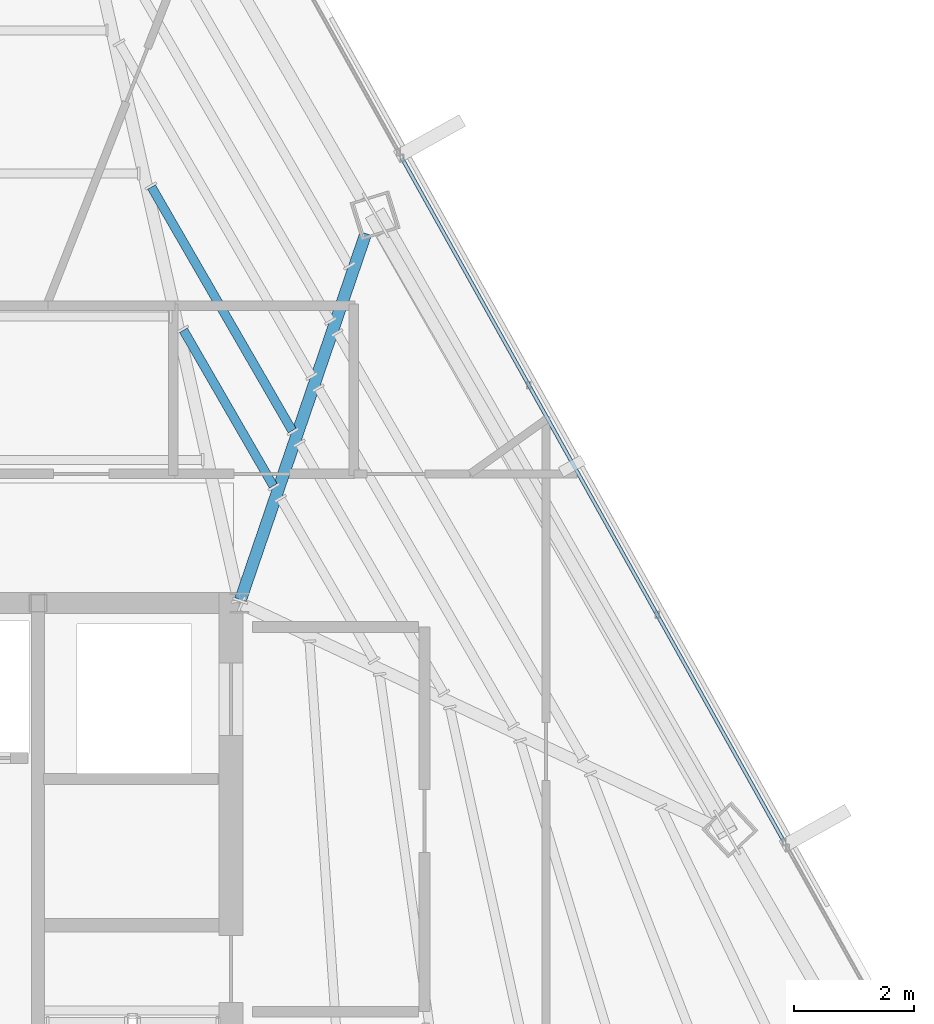
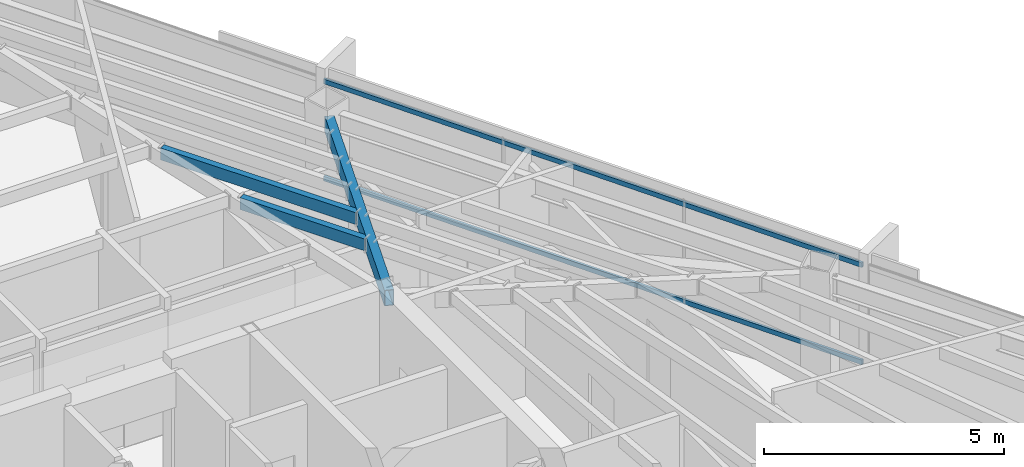
# One storey, part 29 of 47: 3 beams, 2 members, 1 element without a shape of its own.
"""IFC4 building model written with IfcOpenShell, lengths in metres."""

import ifcopenshell
import ifcopenshell.guid

model = None  # the IFC model being written
_history = None  # IfcOwnerHistory: only IFC2X3 demands one
_inside = {}  # id of a spatial element -> (the spatial element, [elements in it])
_under = {}  # id of a project, library or spatial element -> (it, [spatial elements below it])
_declared = {}  # id of a project -> (the project, [libraries it declares])
_typed = {}  # id of a type object -> (the type object, [elements of that type])
_made_of = {}  # id of a material, layer set ... -> (it, [elements and type objects made of it])


def new_model(schema):
    """Start an empty IFC model of exactly this schema.

    Asked for "IFC4X3", IfcOpenShell would pick the latest addendum, in which some entities
    have other attributes; the version numbers below select the first issue.
    IFC2X3 requires an IfcOwnerHistory on every rooted entity: one is made here for all.
    """
    global model, _history
    if schema == "IFC4X3":
        model = ifcopenshell.file(schema_version=(4, 3, 0, 0))
    else:
        model = ifcopenshell.file(schema=schema)
    _inside.clear()
    _under.clear()
    _declared.clear()
    _typed.clear()
    _made_of.clear()
    _history = None
    if model.schema == "IFC2X3":
        org = make("IfcOrganization", Name="unknown")
        user = make(
            "IfcPersonAndOrganization",
            ThePerson=make("IfcPerson", FamilyName="unknown"),
            TheOrganization=org,
        )
        app = make(
            "IfcApplication",
            ApplicationDeveloper=org,
            Version="unknown",
            ApplicationFullName="unknown",
            ApplicationIdentifier="unknown",
        )
        _history = make(
            "IfcOwnerHistory",
            OwningUser=user,
            OwningApplication=app,
            ChangeAction="ADDED",
            CreationDate=0,
        )
    return model


def make(cls, **values):
    """One entity of the class cls with the attributes given. An attribute that is None is left unset."""
    return model.create_entity(
        cls, **{name: value for name, value in values.items() if value is not None}
    )


def rooted(cls, **values):
    """An entity with a GlobalId (a new one), such as an element, a storey or a relation."""
    return make(cls, GlobalId=ifcopenshell.guid.new(), OwnerHistory=_history, **values)


def si_unit(unit_type, name, prefix=None):
    """IfcSIUnit, for example si_unit("LENGTHUNIT", "METRE", prefix="MILLI")."""
    return make("IfcSIUnit", UnitType=unit_type, Prefix=prefix, Name=name)


def assignment(units):
    """IfcUnitAssignment: the units of a project."""
    return None if units is None else make("IfcUnitAssignment", Units=units)


def point(xyz):
    """IfcCartesianPoint."""
    return None if xyz is None else make("IfcCartesianPoint", Coordinates=xyz)


def direction(xyz):
    """IfcDirection."""
    return None if xyz is None else make("IfcDirection", DirectionRatios=xyz)


def frame(location, z_axis=None, x_axis=None):
    """IfcAxis2Placement3D, a coordinate frame: its origin and axes. An axis left out is left unset."""
    return make(
        "IfcAxis2Placement3D",
        Location=point(location),
        Axis=direction(z_axis),
        RefDirection=direction(x_axis),
    )


def frame_2d(location, x_axis=None):
    """IfcAxis2Placement2D, a coordinate frame in the plane: its origin and x axis."""
    return make(
        "IfcAxis2Placement2D", Location=point(location), RefDirection=direction(x_axis)
    )


def origin():
    """The frame at (0, 0, 0) with its axes left unset."""
    return frame((0.0, 0.0, 0.0))


def origin_2d():
    """The frame at (0, 0) in the plane with its x axis left unset."""
    return frame_2d((0.0, 0.0))


def place(relative_to, where):
    """IfcLocalPlacement: puts the frame where relative to a parent placement (None: the world)."""
    return make(
        "IfcLocalPlacement", PlacementRelTo=relative_to, RelativePlacement=where
    )


def context(
    kind, dimensions, precision=None, world=None, true_north=None, identifier=None
):
    """IfcGeometricRepresentationContext, for example the 3D "Model" context."""
    return make(
        "IfcGeometricRepresentationContext",
        ContextIdentifier=identifier,
        ContextType=kind,
        CoordinateSpaceDimension=dimensions,
        Precision=precision,
        WorldCoordinateSystem=world,
        TrueNorth=true_north,
    )


def subcontext(parent, identifier, kind, view, scale=None):
    """IfcGeometricRepresentationSubContext, for example "Body" below "Model"."""
    return make(
        "IfcGeometricRepresentationSubContext",
        ContextIdentifier=identifier,
        ContextType=kind,
        ParentContext=parent,
        TargetScale=scale,
        TargetView=view,
    )


def project(units=None, contexts=None):
    """IfcProject with its units and contexts."""
    return rooted(
        "IfcProject",
        Name="project",
        RepresentationContexts=contexts,
        UnitsInContext=assignment(units),
    )


def spatial(cls, under=None, at=None, **own):
    """A site, building, storey or space (cls), placed at a placement, below another one or the project."""
    s = rooted(cls, ObjectPlacement=at, **own)
    if under is not None:
        _under.setdefault(under.id(), (under, []))[1].append(s)
    return s


def profile(cls, at=None, kind="AREA", **sizes):
    """A parametric profile (cls). Its sizes go by their IFC names, for example OverallWidth=200.0."""
    return make(cls, ProfileType=kind, Position=at, **sizes)


def hollow_rectangle(**sizes):
    """IfcRectangleHollowProfileDef."""
    return profile("IfcRectangleHollowProfileDef", **sizes)


def extrude(swept, where, along, depth):
    """IfcExtrudedAreaSolid: the profile swept, set in the frame where, extruded along a direction by depth."""
    return make(
        "IfcExtrudedAreaSolid",
        SweptArea=swept,
        Position=where,
        ExtrudedDirection=direction(along),
        Depth=depth,
    )


def shape(context_of_items, identifier, shape_type, items):
    """IfcShapeRepresentation: the items that make up one representation, for example the "Body"."""
    return make(
        "IfcShapeRepresentation",
        ContextOfItems=context_of_items,
        RepresentationIdentifier=identifier,
        RepresentationType=shape_type,
        Items=items,
    )


def source(mapping_origin, context_of_items, identifier, shape_type, items):
    """IfcRepresentationMap: a shape defined once, which mapped items show again and again."""
    return make(
        "IfcRepresentationMap",
        MappingOrigin=mapping_origin,
        MappedRepresentation=shape(context_of_items, identifier, shape_type, items),
    )


def transform(
    local_origin,
    x_axis=None,
    y_axis=None,
    z_axis=None,
    scale=None,
    scale2=None,
    scale3=None,
    uniform=True,
):
    """IfcCartesianTransformationOperator3D, or its non-uniform kind. x_axis, y_axis, z_axis: its Axis1, 2, 3."""
    if uniform:
        return make(
            "IfcCartesianTransformationOperator3D",
            Axis1=direction(x_axis),
            Axis2=direction(y_axis),
            LocalOrigin=point(local_origin),
            Scale=scale,
            Axis3=direction(z_axis),
        )
    return make(
        "IfcCartesianTransformationOperator3DnonUniform",
        Axis1=direction(x_axis),
        Axis2=direction(y_axis),
        LocalOrigin=point(local_origin),
        Scale=scale,
        Axis3=direction(z_axis),
        Scale2=scale2,
        Scale3=scale3,
    )


def mapped(mapping_source, mapping_target):
    """IfcMappedItem: shows the shape of a source again, moved by a transform."""
    return make(
        "IfcMappedItem", MappingSource=mapping_source, MappingTarget=mapping_target
    )


def material(Name=None, Category=None):
    """IfcMaterial."""
    return make("IfcMaterial", Name=Name, Category=Category)


def material_profile(
    of_material, cross_section, Name=None, Category=None, Priority=None
):
    """IfcMaterialProfile: a cross section and its material."""
    return make(
        "IfcMaterialProfile",
        Name=Name,
        Material=of_material,
        Profile=cross_section,
        Priority=Priority,
        Category=Category,
    )


def profile_set(profiles, Name=None, composite=None):
    """IfcMaterialProfileSet."""
    return make(
        "IfcMaterialProfileSet",
        Name=Name,
        MaterialProfiles=profiles,
        CompositeProfile=composite,
    )


def made_of(thing, what):
    """Note that an element or type object is made of a material, layer set ...; save() writes the relation."""
    if what is not None:
        _made_of.setdefault(what.id(), (what, []))[1].append(thing)
    return thing


def type_object(cls, material=None, **own):
    """A type object (cls), such as IfcWallType, which elements share."""
    return made_of(rooted(cls, **own), material)


def type_shapes(of_type, sources):
    """Give a type object the sources (RepresentationMaps) that its elements show as mapped items."""
    of_type.RepresentationMaps = sources


def element(
    cls,
    number,
    at=None,
    inside=None,
    cuts=None,
    type_object=None,
    material=None,
    context=None,
    identifier="Body",
    shape_type=None,
    held_by="IfcProductDefinitionShape",
    body=None,
    shapes=None,
    **own,
):
    """One element of the class cls, such as IfcWall. Its Tag is "e" and its number.

    at: its placement. inside: the storey or other place that contains it. cuts: it is an
    opening in that element (IfcRelVoidsElement). A single representation is given by context,
    identifier, shape_type and body (its items); several are given by shapes. held_by: the class
    of the entity that holds the representations. save() writes the other relations.
    """
    e = rooted(cls, Tag="e%d" % number, ObjectPlacement=at, **own)
    if body is not None:
        shapes = [shape(context, identifier, shape_type, body)]
    if shapes is not None:
        e.Representation = make(held_by, Representations=shapes)
    if inside is not None:
        _inside.setdefault(inside.id(), (inside, []))[1].append(e)
    if cuts is not None:
        rooted(
            "IfcRelVoidsElement", RelatingBuildingElement=cuts, RelatedOpeningElement=e
        )
    if type_object is not None:
        _typed.setdefault(type_object.id(), (type_object, []))[1].append(e)
    return made_of(e, material)


def aggregate(whole, parts):
    """IfcRelAggregates: a whole, such as a stair, and the parts it consists of."""
    return rooted("IfcRelAggregates", RelatingObject=whole, RelatedObjects=parts)


def save(model, path):
    """Write the relations noted so far, then the file.

    IfcRelAggregates (storeys below a building ...), IfcRelContainedInSpatialStructure (elements
    in a storey), IfcRelDefinesByType, IfcRelAssociatesMaterial and IfcRelDeclares: one each for
    every whole, place, type object, material and project.
    """
    for whole, parts in _under.values():
        aggregate(whole, parts)
    for where, things in _inside.values():
        rooted(
            "IfcRelContainedInSpatialStructure",
            RelatedElements=things,
            RelatingStructure=where,
        )
    for kind, things in _typed.values():
        rooted("IfcRelDefinesByType", RelatedObjects=things, RelatingType=kind)
    for what, things in _made_of.values():
        rooted("IfcRelAssociatesMaterial", RelatedObjects=things, RelatingMaterial=what)
    for by, libraries in _declared.values():
        rooted("IfcRelDeclares", RelatingContext=by, RelatedDefinitions=libraries)
    model.write(path)


model = new_model("IFC4")

# Units and contexts
model_context = context("Model", 3, precision=1e-05, world=origin(), true_north=direction((0.0, 1.0)))
body_context = subcontext(model_context, "Body", "Model", "MODEL_VIEW")
ifc_project = project(units=[si_unit("LENGTHUNIT", "METRE"), si_unit("AREAUNIT", "SQUARE_METRE"), si_unit("VOLUMEUNIT", "CUBIC_METRE"), si_unit("PLANEANGLEUNIT", "RADIAN"), si_unit("MASSUNIT", "GRAM", prefix="KILO")], contexts=[model_context])

# Site, building, storey
site_placement = place(None, origin())
site = spatial("IfcSite", under=ifc_project, at=site_placement, CompositionType="ELEMENT")
building_placement = place(site_placement, origin())
building = spatial("IfcBuilding", under=site, at=building_placement, Name="Caelisora Broadcast Tower", CompositionType="ELEMENT")
storey_placement = place(building_placement, frame((0.0, 0.0, 255.39990234375)))
storey = spatial("IfcBuildingStorey", under=building, at=storey_placement, Name="L67", CompositionType="ELEMENT", Elevation=255.39990234375)

# Beams
ifc_material_1 = material(Name="Steel Grade 350 (AS/NZS 1163 C350L0)", Category="steel")
ifc_material_profile_1 = material_profile(ifc_material_1, hollow_rectangle(XDim=0.199951171875, YDim=0.39990234375, WallThickness=0.012451171875, at=origin_2d()), Name="Steel Grade 350 (AS/NZS 1163 C350L0)")
ifc_profile_set_1 = profile_set([ifc_material_profile_1], Name="Steel Grade 350 (AS/NZS 1163 C350L0)")
beam_type_1 = type_object("IfcBeamType", Name="PG07", PredefinedType="BEAM", material=ifc_profile_set_1)
shared_shape_1 = source(origin(), body_context, "Body", "SweptSolid", [
    extrude(hollow_rectangle(XDim=0.199951171875, YDim=0.39990234375, WallThickness=0.012451171875, at=origin_2d()), origin(), (0.0, 0.0, 1.0), 6.439208984375),
])
type_shapes(beam_type_1, [shared_shape_1])
beam_1_placement = place(storey_placement, frame((45.519287109375, 30.056884765625, 3.2001953125), z_axis=(0.323566198112, 0.946205535515, 0.0), x_axis=(-0.946205535515, 0.323566198112, 0.0)))
element("IfcBeam", 1, at=beam_1_placement, inside=storey, type_object=beam_type_1, Name="L67 beam PG07", PredefinedType="BEAM", context=body_context, shape_type="MappedRepresentation", body=[
    mapped(shared_shape_1, transform((0.0, 0.0, 0.0), scale=1.0)),
])
ifc_material_profile_2 = material_profile(ifc_material_1, hollow_rectangle(XDim=0.14990234375, YDim=0.300048828125, WallThickness=0.010009765625, at=origin_2d()), Name="Steel Grade 350 (AS/NZS 1163 C350L0)")
ifc_profile_set_2 = profile_set([ifc_material_profile_2], Name="Steel Grade 350 (AS/NZS 1163 C350L0)")
beam_type_2 = type_object("IfcBeamType", Name="SB05", PredefinedType="JOIST", material=ifc_profile_set_2)
shared_shape_2 = source(origin(), body_context, "Body", "SweptSolid", [
    extrude(hollow_rectangle(XDim=0.14990234375, YDim=0.300048828125, WallThickness=0.010009765625, at=origin_2d()), origin(), (0.0, 0.0, 1.0), 2.990966796875),
])
beam_2_placement = place(storey_placement, frame((46.0634765625, 31.949951171875, 3.25), z_axis=(-0.499957981141, 0.866049662025, 0.0), x_axis=(-0.866049662025, -0.499957981141, 0.0)))
element("IfcBeam", 2, at=beam_2_placement, inside=storey, type_object=beam_type_2, Name="L67 beam SB05", PredefinedType="JOIST", context=body_context, shape_type="MappedRepresentation", body=[
    mapped(shared_shape_2, transform((0.0, 0.0, 0.0), scale=1.0)),
])
shared_shape_3 = source(origin(), body_context, "Body", "SweptSolid", [
    extrude(hollow_rectangle(XDim=0.14990234375, YDim=0.300048828125, WallThickness=0.010009765625, at=origin_2d()), origin(), (0.0, 0.0, 1.0), 4.681396484375),
])
type_shapes(beam_type_2, [shared_shape_2, shared_shape_3])
beam_3_placement = place(storey_placement, frame((46.377685546875, 32.86865234375, 3.25), z_axis=(-0.499981281088, 0.866036210884, 0.0), x_axis=(-0.866036210884, -0.499981281088, 0.0)))
element("IfcBeam", 3, at=beam_3_placement, inside=storey, type_object=beam_type_2, Name="L67 beam SB05", PredefinedType="JOIST", context=body_context, shape_type="MappedRepresentation", body=[
    mapped(shared_shape_3, transform((0.0, 0.0, 0.0), scale=1.0)),
])

# Curtain wall, members
ifc_material_2 = material(Name="Unitised Aluminium Insulated Shadow-Box Spandrel Curtain Wall", Category="aluminium")
curtain_wall_type = type_object("IfcCurtainWallType", Name="CW-SP3", PredefinedType="NOTDEFINED", material=ifc_material_2)
curtain_wall_placement = place(storey_placement, origin())
curtain_wall = element("IfcCurtainWall", 4, at=curtain_wall_placement, inside=storey, type_object=curtain_wall_type, Name="L67 curtain wall CW-SP3", PredefinedType="NOTDEFINED")
ifc_material_3 = material(Name="Aluminium 6063-T6 Anodised Terracotta Bronze", Category="aluminium")
ifc_material_profile_3 = material_profile(ifc_material_3, hollow_rectangle(XDim=0.06005859375, YDim=0.1201171875, WallThickness=0.0029296875, at=origin_2d()), Name="Aluminium 6063-T6 Anodised Terracotta Bronze")
ifc_profile_set_3 = profile_set([ifc_material_profile_3], Name="Aluminium 6063-T6 Anodised Terracotta Bronze")
member_type = type_object("IfcMemberType", Name="CWT-03", PredefinedType="USERDEFINED", material=ifc_profile_set_3)
shared_shape_4 = source(origin(), body_context, "Body", "SweptSolid", [
    extrude(hollow_rectangle(XDim=0.06005859375, YDim=0.1201171875, WallThickness=0.0029296875, at=origin_2d()), origin(), (0.0, 0.0, 1.0), 13.0390625),
])
type_shapes(member_type, [shared_shape_4])
member_1_placement = place(storey_placement, frame((48.20263671875, 37.40576171875, 0.85009765625), z_axis=(0.487938434745, -0.872878046407, 0.0), x_axis=(0.872878046407, 0.487938434745, 0.0)))
member_1 = element("IfcMember", 5, at=member_1_placement, type_object=member_type, Name="L67-CW-B02 transom #1", ObjectType="TRANSOM", PredefinedType="USERDEFINED", context=body_context, shape_type="MappedRepresentation", body=[
    mapped(shared_shape_4, transform((0.0, 0.0, 0.0), scale=1.0)),
])
member_2_placement = place(storey_placement, frame((48.20263671875, 37.40576171875, 3.320068359375), z_axis=(0.487938434745, -0.872878046407, 0.0), x_axis=(0.872878046407, 0.487938434745, 0.0)))
member_2 = element("IfcMember", 6, at=member_2_placement, type_object=member_type, Name="L67-CW-B02 transom #2", ObjectType="TRANSOM", PredefinedType="USERDEFINED", context=body_context, shape_type="MappedRepresentation", body=[
    mapped(shared_shape_4, transform((0.0, 0.0, 0.0), scale=1.0)),
])
aggregate(curtain_wall, [member_1, member_2])

save(model, "model.ifc")
